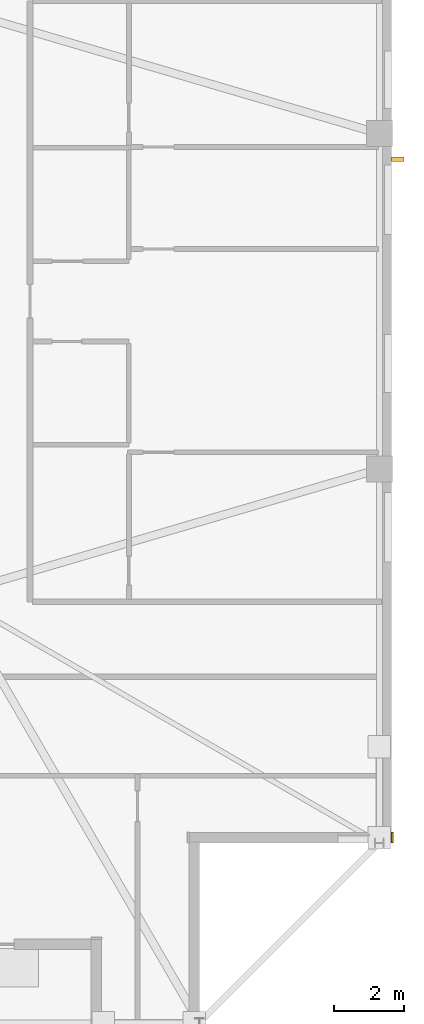
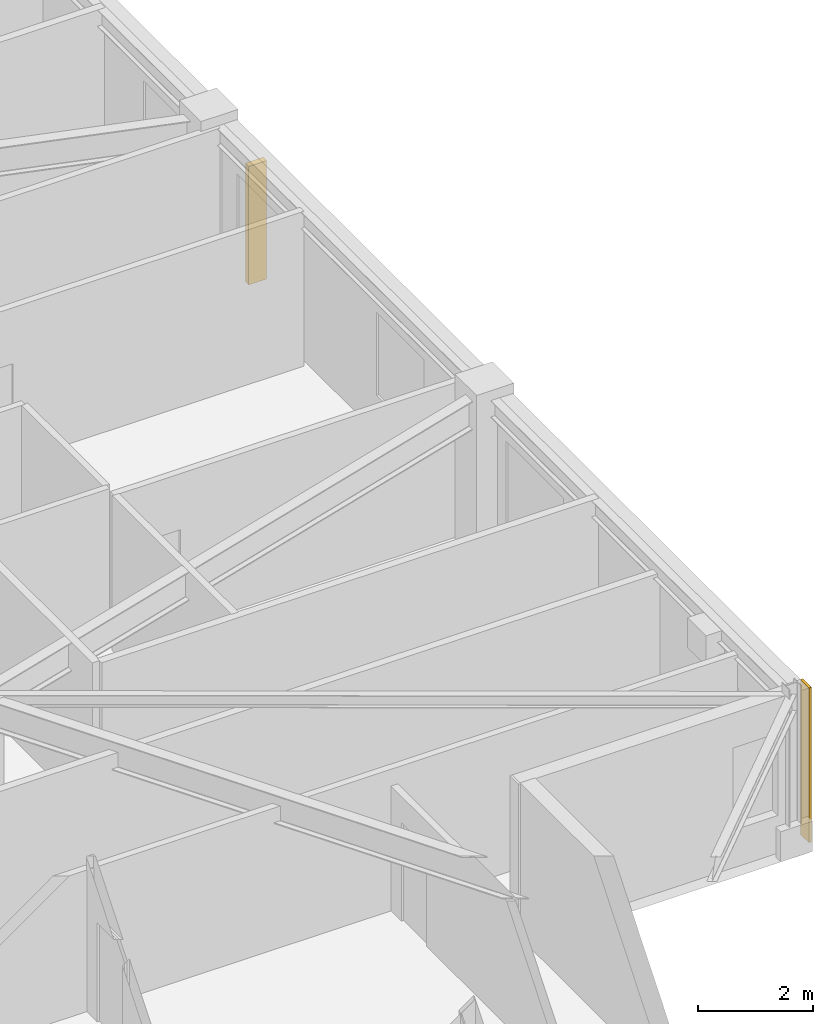
# One storey, part 14 of 15: 1 covering, 1 shading device.
"""IFC4 building model written with IfcOpenShell, lengths in metres."""

from ifc_helpers import new_model, si_unit, direction, frame, frame_2d, origin, origin_2d, place, context, subcontext, project, spatial, rectangle, extrude, material, layer, layer_set, type_object, element, save


model = new_model("IFC4")

# Units and contexts
model_context = context("Model", 3, precision=1e-05, world=origin(), true_north=direction((0.0, 1.0)))
body_context = subcontext(model_context, "Body", "Model", "MODEL_VIEW")
ifc_project = project(units=[si_unit("LENGTHUNIT", "METRE"), si_unit("AREAUNIT", "SQUARE_METRE"), si_unit("VOLUMEUNIT", "CUBIC_METRE"), si_unit("PLANEANGLEUNIT", "RADIAN"), si_unit("MASSUNIT", "GRAM", prefix="KILO")], contexts=[model_context])

# Site, building, storey
site_placement = place(None, origin())
site = spatial("IfcSite", under=ifc_project, at=site_placement, CompositionType="ELEMENT")
building_placement = place(site_placement, origin())
building = spatial("IfcBuilding", under=site, at=building_placement, Name="Cairnveth Concourse Tower", CompositionType="ELEMENT")
storey_placement = place(building_placement, frame((0.0, 0.0, 287.5)))
storey = spatial("IfcBuildingStorey", under=building, at=storey_placement, Name="L79", CompositionType="ELEMENT", Elevation=287.5)

# Covering
ifc_material_1 = material(Name="Dressed Melbourne Bluestone Cladding", Category="masonry")
ifc_layer = layer(ifc_material_1, 0.050048828125)
ifc_layer_set = layer_set([ifc_layer], Name="Dressed Melbourne Bluestone Cladding")
covering_type = type_object("IfcCoveringType", Name="DRESSED BLUESTONE PLINTH CLADDING 50", PredefinedType="CLADDING", material=ifc_layer_set)
covering_placement = place(storey_placement, frame((73.02001953125, 23.800048828125, 0.0), z_axis=(0.0, 0.0, 1.0), x_axis=(0.0, -1.0, 0.0)))
element("IfcCovering", 1, at=covering_placement, inside=storey, type_object=covering_type, Name="Melbourne Bluestone Corner Quoin L79-1205", PredefinedType="CLADDING", context=body_context, shape_type="SweptSolid", body=[
    extrude(rectangle(XDim=0.300048828125, YDim=0.050048828125, at=frame_2d((0.14990234375, 0.0))), origin(), (0.0, 0.0, 1.0), 3.2900390625),
])

# Shading device
ifc_material_2 = material(Name="Architectural Bronze Anodised Aluminium 6063-T6", Category="aluminium")
shading_device_type = type_object("IfcShadingDeviceType", Name="GOTHIC BRONZE VERTICAL LANCET FIN", PredefinedType="USERDEFINED", material=ifc_material_2)
shading_device_placement = place(storey_placement, frame((73.175048828125, 43.0673828125, 0.030029296875), z_axis=(0.0, 0.0, 1.0), x_axis=(0.0, 1.0, 0.0)))
element("IfcShadingDevice", 2, at=shading_device_placement, inside=storey, type_object=shading_device_type, Name="Gothic Bronze Vertical Fin L79-9-3", ObjectType="VERTICAL FIN", PredefinedType="USERDEFINED", context=body_context, shape_type="SweptSolid", body=[
    extrude(rectangle(XDim=0.1201171875, YDim=0.360107421875, at=origin_2d()), origin(), (0.0, 0.0, 1.0), 2.51806640625),
])

save(model, "model.ifc")
